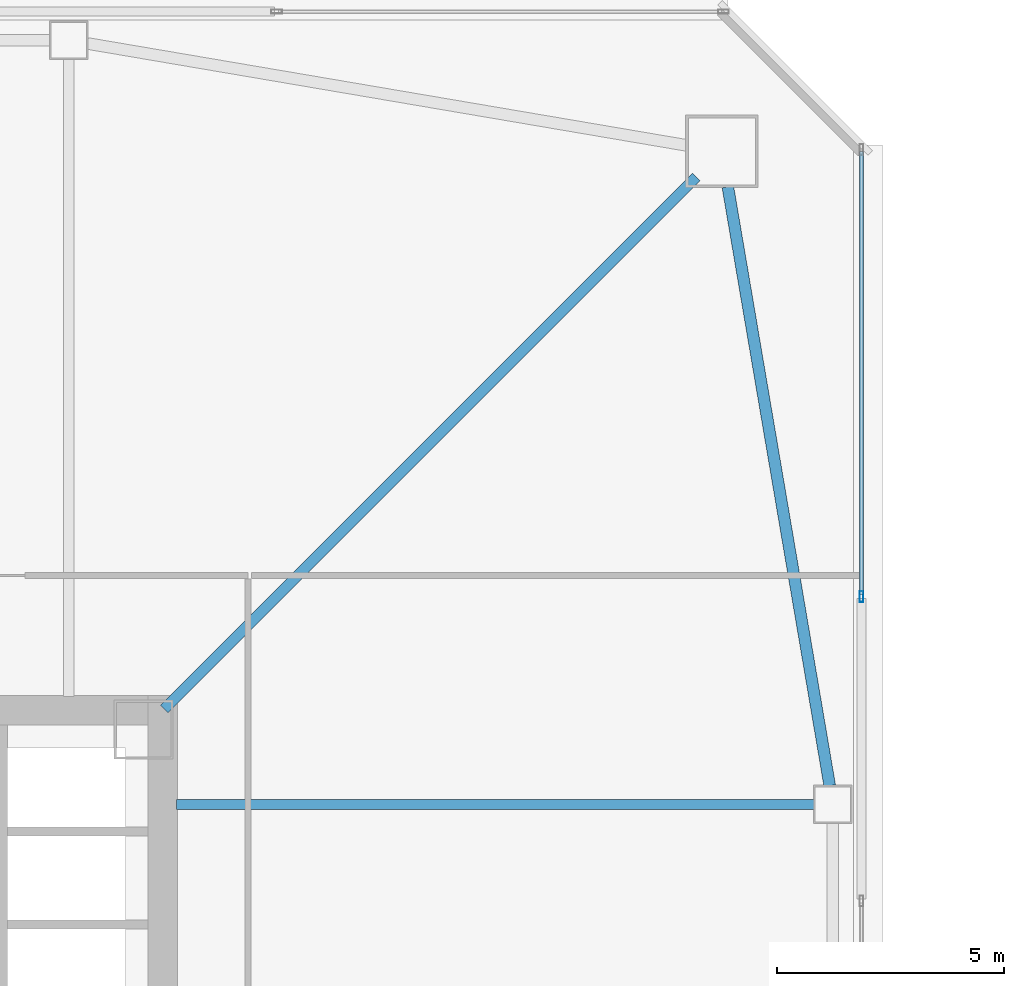
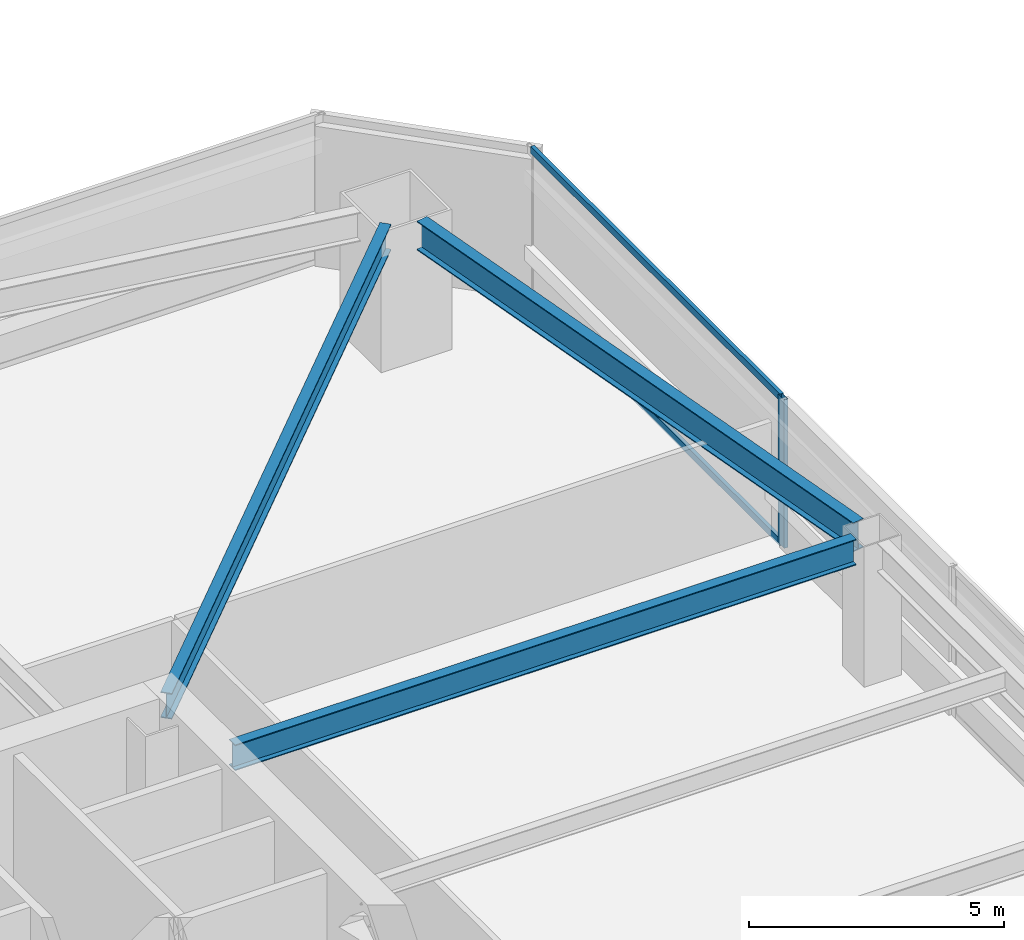
# One storey, part 14 of 45: 3 beams, 3 members, 1 element without a shape of its own.
"""IFC4 building model written with IfcOpenShell, lengths in metres."""

from ifc_helpers import new_model, si_unit, direction, frame, origin, origin_2d, place, context, subcontext, project, spatial, hollow_rectangle, i_section, extrude, material, material_profile, profile_set, type_object, element, aggregate, save


model = new_model("IFC4")

# Units and contexts
model_context = context("Model", 3, precision=1e-05, world=origin(), true_north=direction((0.0, 1.0)))
body_context = subcontext(model_context, "Body", "Model", "MODEL_VIEW")
ifc_project = project(units=[si_unit("LENGTHUNIT", "METRE"), si_unit("AREAUNIT", "SQUARE_METRE"), si_unit("VOLUMEUNIT", "CUBIC_METRE"), si_unit("PLANEANGLEUNIT", "RADIAN"), si_unit("MASSUNIT", "GRAM", prefix="KILO")], contexts=[model_context])

# Site, building, storey
site_placement = place(None, origin())
site = spatial("IfcSite", under=ifc_project, at=site_placement, CompositionType="ELEMENT")
building_placement = place(site_placement, origin())
building = spatial("IfcBuilding", under=site, at=building_placement, Name="Tashvorn Skyway Center", CompositionType="ELEMENT")
storey_placement = place(building_placement, frame((0.0, 0.0, 35.25)))
storey = spatial("IfcBuildingStorey", under=building, at=storey_placement, Name="L08", CompositionType="ELEMENT", Elevation=35.25)

# Beams
ifc_material_1 = material(Name="Steel ASTM A992 Grade 50", Category="steel")
ifc_material_profile_1 = material_profile(ifc_material_1, i_section(OverallWidth=0.22998046875, OverallDepth=0.616943359375, WebThickness=0.01318359375, FlangeThickness=0.022216796875, at=origin_2d()), Name="W24X94")
ifc_profile_set_1 = profile_set([ifc_material_profile_1], Name="Steel ASTM A992 Grade 50")
beam_type_1 = type_object("IfcBeamType", Name="BM-BEAM-W24X94", PredefinedType="BEAM", material=ifc_profile_set_1)
beam_1_placement = place(storey_placement, frame((61.23779296875, 51.23779296875, 3.04150390625), z_axis=(-0.707106781187, -0.707106781187, 0.0), x_axis=(0.707106781187, -0.707106781187, 0.0)))
element("IfcBeam", 1, at=beam_1_placement, inside=storey, type_object=beam_type_1, Name="Tower 1 L08 Primary Floor Girder MC-NE", PredefinedType="BEAM", context=body_context, shape_type="SweptSolid", body=[
    extrude(i_section(OverallWidth=0.22998046875, OverallDepth=0.616943359375, WebThickness=0.01318359375, FlangeThickness=0.022216796875, at=origin_2d()), origin(), (0.0, 0.0, 1.0), 16.591064453125),
])
beam_2_placement = place(storey_placement, frame((63.830078125, 37.39990234375, 3.04150390625), z_axis=(-1.0, 0.0, 0.0), x_axis=(0.0, -1.0, 0.0)))
element("IfcBeam", 2, at=beam_2_placement, inside=storey, type_object=beam_type_1, Name="Tower 1 L08 Primary Floor Girder FC-E2", PredefinedType="BEAM", context=body_context, shape_type="SweptSolid", body=[
    extrude(i_section(OverallWidth=0.22998046875, OverallDepth=0.616943359375, WebThickness=0.01318359375, FlangeThickness=0.022216796875, at=origin_2d()), origin(), (0.0, 0.0, 1.0), 14.050048828125),
])
ifc_material_profile_2 = material_profile(ifc_material_1, i_section(OverallWidth=0.256103515625, OverallDepth=0.693115234375, WebThickness=0.014404296875, FlangeThickness=0.023681640625, at=origin_2d()), Name="W27X114")
ifc_profile_set_2 = profile_set([ifc_material_profile_2], Name="Steel ASTM A992 Grade 50")
beam_type_2 = type_object("IfcBeamType", Name="BM-SPANDREL-W27X114", PredefinedType="SPANDREL", material=ifc_profile_set_2)
beam_3_placement = place(storey_placement, frame((64.179443359375, 37.81396484375, 3.00341796875), z_axis=(-0.16771792509, 0.985835025551, 0.0), x_axis=(-0.985835025551, -0.16771792509, 0.0)))
element("IfcBeam", 3, at=beam_3_placement, inside=storey, type_object=beam_type_2, Name="Tower 1 L08 Spandrel Beam 06", PredefinedType="SPANDREL", context=body_context, shape_type="SweptSolid", body=[
    extrude(i_section(OverallWidth=0.256103515625, OverallDepth=0.693115234375, WebThickness=0.014404296875, FlangeThickness=0.023681640625, at=origin_2d()), origin(), (0.0, 0.0, 1.0), 13.39208984375),
])

# Curtain wall, members
ifc_material_2 = material(Name="Thermally broken bronze-anodized aluminium 6063-T6", Category="aluminium")
curtain_wall_type = type_object("IfcCurtainWallType", Name="CW-CW-Z1", PredefinedType="NOTDEFINED", material=ifc_material_2)
curtain_wall_placement = place(storey_placement, origin())
curtain_wall = element("IfcCurtainWall", 4, at=curtain_wall_placement, inside=storey, type_object=curtain_wall_type, Name="Tower 1 L08 East Unitised Curtain Wall Glazing Group 1", PredefinedType="NOTDEFINED")
ifc_material_profile_3 = material_profile(ifc_material_2, hollow_rectangle(XDim=0.0849609375, YDim=0.239990234375, WallThickness=0.0048828125, at=origin_2d()), Name="ALU-MULL-85x240")
ifc_profile_set_3 = profile_set([ifc_material_profile_3], Name="Thermally broken bronze-anodized aluminium 6063-T6")
member_type_1 = type_object("IfcMemberType", Name="CWM-CW-Z1", PredefinedType="MULLION", material=ifc_profile_set_3)
member_1_placement = place(storey_placement, frame((64.8798828125, 41.982421875, 0.0), z_axis=(0.0, 0.0, 1.0), x_axis=(1.0, 0.0, 0.0)))
member_1 = element("IfcMember", 5, at=member_1_placement, type_object=member_type_1, Name="CW-Z1 mullion 2", PredefinedType="MULLION", context=body_context, shape_type="SweptSolid", body=[
    extrude(hollow_rectangle(XDim=0.0849609375, YDim=0.239990234375, WallThickness=0.0048828125, at=origin_2d()), origin(), (0.0, 0.0, 1.0), 3.550048828125),
])
ifc_material_profile_4 = material_profile(ifc_material_2, hollow_rectangle(XDim=0.0849609375, YDim=0.1650390625, WallThickness=0.0048828125, at=origin_2d()), Name="ALU-TRAN-85x165")
ifc_profile_set_4 = profile_set([ifc_material_profile_4], Name="Thermally broken bronze-anodized aluminium 6063-T6")
member_type_2 = type_object("IfcMemberType", Name="CWT-CW-Z1", PredefinedType="USERDEFINED", material=ifc_profile_set_4)
member_2_placement = place(storey_placement, frame((64.8798828125, 51.794921875, 0.04248046875), z_axis=(0.0, -1.0, 0.0), x_axis=(1.0, 0.0, 0.0)))
member_2 = element("IfcMember", 6, at=member_2_placement, type_object=member_type_2, Name="CW-Z1 transom 1.1", ObjectType="TRANSOM", PredefinedType="USERDEFINED", context=body_context, shape_type="SweptSolid", body=[
    extrude(hollow_rectangle(XDim=0.0849609375, YDim=0.1650390625, WallThickness=0.0048828125, at=origin_2d()), origin(), (0.0, 0.0, 1.0), 9.77001953125),
])
member_3_placement = place(storey_placement, frame((64.8798828125, 51.794921875, 3.507568359375), z_axis=(0.0, -1.0, 0.0), x_axis=(1.0, 0.0, 0.0)))
member_3 = element("IfcMember", 7, at=member_3_placement, type_object=member_type_2, Name="CW-Z1 transom 1.2", ObjectType="TRANSOM", PredefinedType="USERDEFINED", context=body_context, shape_type="SweptSolid", body=[
    extrude(hollow_rectangle(XDim=0.0849609375, YDim=0.1650390625, WallThickness=0.0048828125, at=origin_2d()), origin(), (0.0, 0.0, 1.0), 9.77001953125),
])
aggregate(curtain_wall, [member_1, member_2, member_3])

save(model, "model.ifc")
